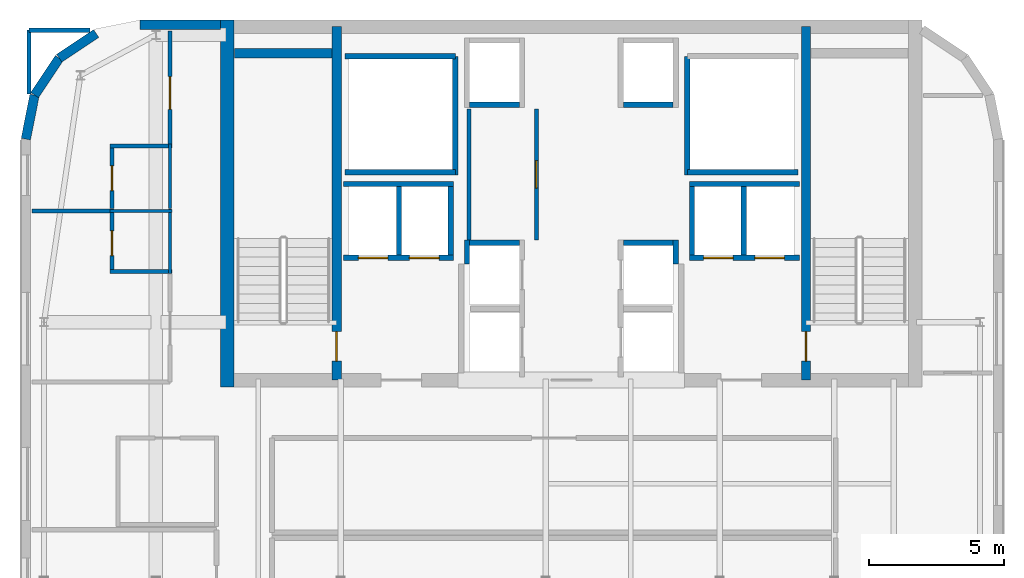
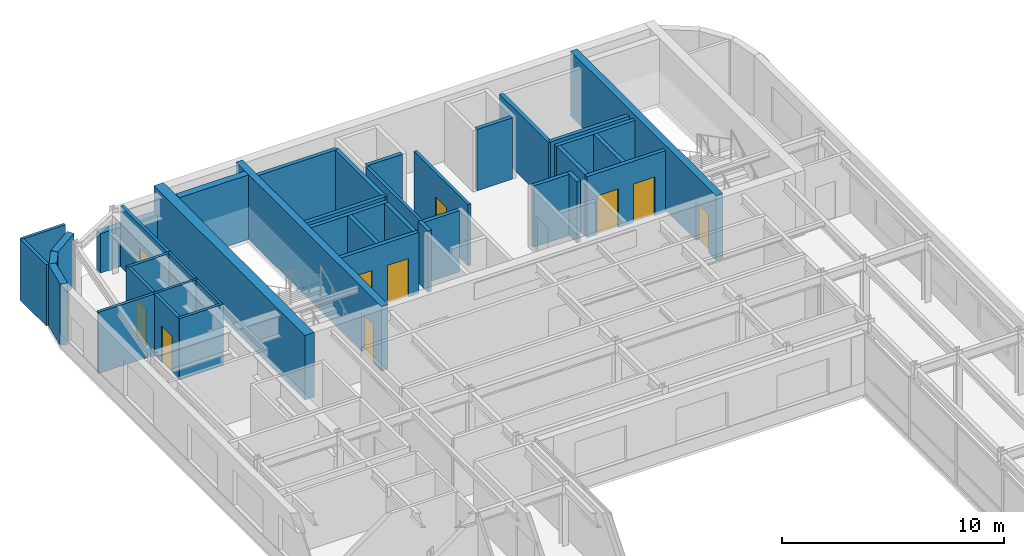
# One storey, part 16 of 21: 40 walls, 10 doors, 10 openings.
"""IFC4 building model written with IfcOpenShell, lengths in metres."""

from ifc_helpers import new_model, si_unit, direction, frame, frame_2d, origin, place, context, subcontext, project, spatial, rectangle, extrude, source, transform, mapped, material, layer, layer_set, type_object, type_shapes, element, fill, save


model = new_model("IFC4")

# Units and contexts
model_context = context("Model", 3, precision=1e-05, world=origin(), true_north=direction((0.0, 1.0)))
body_context = subcontext(model_context, "Body", "Model", "MODEL_VIEW")
ifc_project = project(units=[si_unit("LENGTHUNIT", "METRE"), si_unit("AREAUNIT", "SQUARE_METRE"), si_unit("VOLUMEUNIT", "CUBIC_METRE"), si_unit("PLANEANGLEUNIT", "RADIAN"), si_unit("MASSUNIT", "GRAM", prefix="KILO")], contexts=[model_context])

# Site, building, storey
site_placement = place(None, origin())
site = spatial("IfcSite", under=ifc_project, at=site_placement, CompositionType="ELEMENT")
building_placement = place(site_placement, origin())
building = spatial("IfcBuilding", under=site, at=building_placement, Name="Tolvann Quenvar Hotel", CompositionType="ELEMENT")
storey_placement = place(building_placement, frame((0.0, 0.0, 262.949951171875)))
storey = spatial("IfcBuildingStorey", under=building, at=storey_placement, Name="L70", CompositionType="ELEMENT", Elevation=262.949951171875)

# Wall
ifc_material_1 = material(Name="Concrete N50 (50 MPa)", Category="concrete")
ifc_layer_1 = layer(ifc_material_1, 0.5)
ifc_layer_set_1 = layer_set([ifc_layer_1], Name="Concrete N50 (50 MPa)")
wall_type_1 = type_object("IfcWallType", Name="WALL_CORE_500", PredefinedType="SHEAR", material=ifc_layer_set_1)
wall_1_placement = place(storey_placement, frame((10.25, 31.60009765625, 0.0), z_axis=(0.0, 0.0, 1.0), x_axis=(0.0, 1.0, 0.0)))
element("IfcWall", 1, at=wall_1_placement, inside=storey, type_object=wall_type_1, Name="Rear Core W Shear Wall (L70)", PredefinedType="SHEAR", context=body_context, shape_type="SweptSolid", body=[
    extrude(rectangle(XDim=13.599853515625, YDim=0.5, at=frame_2d((6.7998046875, 0.0))), origin(), (0.0, 0.0, 1.0), 3.550048828125),
])

# Wall, opening, door
ifc_material_2 = material(Name="Concrete S65 (65 MPa)", Category="concrete")
ifc_layer_2 = layer(ifc_material_2, 0.35009765625)
ifc_layer_set_2 = layer_set([ifc_layer_2], Name="Concrete S65 (65 MPa)")
wall_type_2 = type_object("IfcWallType", Name="WALL_CORE_INT_350", PredefinedType="SHEAR", material=ifc_layer_set_2)
wall_2_placement = place(storey_placement, frame((14.300048828125, 31.85009765625, 0.0), z_axis=(0.0, 0.0, 1.0), x_axis=(0.0, 1.0, 0.0)))
wall_2 = element("IfcWall", 2, at=wall_2_placement, inside=storey, type_object=wall_type_2, Name="Core Internal Web Shear Wall WEB-W (L70)", PredefinedType="SHEAR", context=body_context, shape_type="SweptSolid", body=[
    extrude(rectangle(XDim=13.099853515625, YDim=0.35009765625, at=frame_2d((6.5498046875, 0.0))), origin(), (0.0, 0.0, 1.0), 3.550048828125),
])
opening_1_placement = place(wall_2_placement, frame((0.699951171875, 0.0, 0.0)))
opening_1 = element("IfcOpeningElement", 3, at=opening_1_placement, cuts=wall_2, Name="Opening FD-120", PredefinedType="OPENING", context=body_context, shape_type="SweptSolid", body=[
    extrude(rectangle(XDim=1.10009765625, YDim=2.1201171875, at=frame_2d((0.550048828125, 1.06005859375))), frame((0.0, 0.18505859375, 0.0), z_axis=(0.0, -1.0, 0.0), x_axis=(1.0, 0.0, 0.0)), (0.0, 0.0, 1.0), 0.3701171875),
])
ifc_material_3 = material(Name="Pressed galvanised steel fire-rated door set", Category="steel")
door_type_1 = type_object("IfcDoorType", Name="DOOR_FIRE_STAIR_1100", OperationType="NOTDEFINED", PredefinedType="DOOR", material=ifc_material_3)
shared_shape_1 = source(origin(), body_context, "Body", "SweptSolid", [
    extrude(rectangle(XDim=1.10009765625, YDim=2.1201171875, at=frame_2d((0.550048828125, 1.06005859375))), frame((0.0, 0.02490234375, 0.0), z_axis=(0.0, -1.0, 0.0), x_axis=(1.0, 0.0, 0.0)), (0.0, 0.0, 1.0), 0.050048828125),
])
type_shapes(door_type_1, [shared_shape_1])
door_1_placement = place(opening_1_placement, origin())
door_1 = element("IfcDoor", 4, at=door_1_placement, inside=storey, type_object=door_type_1, Name="Exit Stair ST-C1 Fire Door (L70)", OperationType="SINGLE_SWING_LEFT", OverallHeight=2.1201171875, OverallWidth=1.10009765625, PredefinedType="DOOR", context=body_context, shape_type="MappedRepresentation", body=[
    mapped(shared_shape_1, transform((0.0, 0.0, 0.0), x_axis=(1.0, 0.0, 0.0), y_axis=(0.0, 1.0, 0.0), z_axis=(0.0, 0.0, 1.0), scale=1.0)),
])
fill(opening_1, door_1)

wall_3_placement = place(storey_placement, frame((31.699951171875, 31.85009765625, 0.0), z_axis=(0.0, 0.0, 1.0), x_axis=(0.0, 1.0, 0.0)))
wall_3 = element("IfcWall", 5, at=wall_3_placement, inside=storey, type_object=wall_type_2, Name="Core Internal Web Shear Wall WEB-E (L70)", PredefinedType="SHEAR", context=body_context, shape_type="SweptSolid", body=[
    extrude(rectangle(XDim=13.099853515625, YDim=0.35009765625, at=frame_2d((6.5498046875, 0.0))), origin(), (0.0, 0.0, 1.0), 3.550048828125),
])
opening_2_placement = place(wall_3_placement, frame((1.800048828125, 0.0, 0.0), z_axis=(0.0, 0.0, 1.0), x_axis=(-1.0, 0.0, 0.0)))
opening_2 = element("IfcOpeningElement", 6, at=opening_2_placement, cuts=wall_3, Name="Opening FD-120", PredefinedType="OPENING", context=body_context, shape_type="SweptSolid", body=[
    extrude(rectangle(XDim=1.10009765625, YDim=2.1201171875, at=frame_2d((0.550048828125, 1.06005859375))), frame((0.0, 0.18505859375, 0.0), z_axis=(0.0, -1.0, 0.0), x_axis=(1.0, 0.0, 0.0)), (0.0, 0.0, 1.0), 0.3701171875),
])
door_2_placement = place(opening_2_placement, origin())
door_2 = element("IfcDoor", 7, at=door_2_placement, inside=storey, type_object=door_type_1, Name="Exit Stair ST-C2 Fire Door (L70)", OperationType="SINGLE_SWING_RIGHT", OverallHeight=2.1201171875, OverallWidth=1.10009765625, PredefinedType="DOOR", context=body_context, shape_type="MappedRepresentation", body=[
    mapped(shared_shape_1, transform((0.0, 0.0, 0.0), x_axis=(1.0, 0.0, 0.0), y_axis=(0.0, 1.0, 0.0), z_axis=(0.0, 0.0, 1.0), scale=1.0)),
])
fill(opening_2, door_2)

# Walls
wall_4_placement = place(storey_placement, frame((10.52001953125, 43.97509765625, 0.0), z_axis=(0.0, 0.0, 1.0), x_axis=(1.0, 0.0, 0.0)))
element("IfcWall", 8, at=wall_4_placement, inside=storey, type_object=wall_type_2, Name="Core Stair North Closing Shear Wall STC1-N (L70)", PredefinedType="SHEAR", context=body_context, shape_type="SweptSolid", body=[
    extrude(rectangle(XDim=3.60009765625, YDim=0.35009765625, at=frame_2d((1.800048828125, 0.0))), origin(), (0.0, 0.0, 1.0), 3.550048828125),
])
ifc_material_4 = material(Name="Kiln-fired red and buff architectural clay brickwork and terracotta masonry", Category="masonry")
ifc_layer_3 = layer(ifc_material_4, 0.35009765625)
ifc_layer_set_3 = layer_set([ifc_layer_3], Name="Kiln-fired red and buff architectural clay brickwork and terracotta masonry")
wall_type_3 = type_object("IfcWallType", Name="WALL_EXT_BRICK_350", PredefinedType="SOLIDWALL", material=ifc_layer_set_3)
wall_5_placement = place(storey_placement, frame((9.99609375, 45.02490234375, 0.0), z_axis=(0.0, 0.0, 1.0), x_axis=(-1.0, 0.0, 0.0)))
element("IfcWall", 9, at=wall_5_placement, inside=storey, type_object=wall_type_3, Name="Exterior Chicago Brick Wall L70-E18NW", PredefinedType="SOLIDWALL", context=body_context, shape_type="SweptSolid", body=[
    extrude(rectangle(XDim=2.97900390625, YDim=0.35009765625, at=frame_2d((1.489501953125, 0.0))), origin(), (0.0, 0.0, 1.0), 2.16015625),
])
for number, where, z_axis, x_axis, name in (
    (10, (5.384521484375, 44.7001953125, 0.0), (0.0, 0.0, 1.0), (-0.831502623162, -0.555520825599, 0.0), "Exterior Chicago Brick Wall L70-E20"),
    (11, (4.014892578125, 43.78515625, 0.0), (0.0, 0.0, 1.0), (-0.555623290322, -0.831434158098, 0.0), "Exterior Chicago Brick Wall L70-E21"),
):
    element("IfcWall", number, at=place(storey_placement, frame(where, z_axis=z_axis, x_axis=x_axis)), inside=storey, type_object=wall_type_3, Name=name, PredefinedType="SOLIDWALL", context=body_context, shape_type="SweptSolid", body=[
        extrude(rectangle(XDim=1.647216796875, YDim=0.35009765625, at=frame_2d((0.82373046875, 0.0))), origin(), (0.0, 0.0, 1.0), 2.900146484375),
    ])
wall_6_placement = place(storey_placement, frame((3.099609375, 42.41552734375, 0.0), z_axis=(0.0, 0.0, 1.0), x_axis=(-0.195044345786, -0.980794424524, 0.0)))
element("IfcWall", 12, at=wall_6_placement, inside=storey, type_object=wall_type_3, Name="Exterior Chicago Brick Wall L70-E22", PredefinedType="SOLIDWALL", context=body_context, shape_type="SweptSolid", body=[
    extrude(rectangle(XDim=1.664794921875, YDim=0.35009765625, at=frame_2d((0.83251953125, 0.0))), origin(), (0.0, 0.0, 1.0), 3.3701171875),
])
ifc_material_5 = material(Name="Moisture-resistant acoustic plumbing wall assembly")
ifc_layer_4 = layer(ifc_material_5, 0.1201171875)
ifc_layer_set_4 = layer_set([ifc_layer_4], Name="Moisture-resistant acoustic plumbing wall assembly")
wall_type_4 = type_object("IfcWallType", Name="WALL_PART_BATH_120", PredefinedType="PLUMBINGWALL", material=ifc_layer_set_4)
wall_7_placement = place(storey_placement, frame((5.89990234375, 38.1201171875, 0.0), z_axis=(0.0, 0.0, 1.0), x_axis=(1.0, 0.0, 0.0)))
element("IfcWall", 13, at=wall_7_placement, inside=storey, type_object=wall_type_4, Name="Non-Rated Plumbing Partition PT-SPC-L70-ENS-PNW01-N", PredefinedType="PLUMBINGWALL", context=body_context, shape_type="SweptSolid", body=[
    extrude(rectangle(XDim=2.2900390625, YDim=0.1201171875, at=frame_2d((1.14501953125, 0.0))), origin(), (0.0, 0.0, 1.0), 3.3701171875),
])
wall_8_placement = place(storey_placement, frame((8.1201171875, 35.800048828125, 0.0), z_axis=(0.0, 0.0, 1.0), x_axis=(0.0, 1.0, 0.0)))
element("IfcWall", 14, at=wall_8_placement, inside=storey, type_object=wall_type_4, Name="Non-Rated Plumbing Partition PT-SPC-L70-ENS-PNW01-E", PredefinedType="PLUMBINGWALL", context=body_context, shape_type="SweptSolid", body=[
    extrude(rectangle(XDim=2.389892578125, YDim=0.1201171875, at=frame_2d((1.19482421875, 0.0))), origin(), (0.0, 0.0, 1.0), 3.3701171875),
])
wall_9_placement = place(storey_placement, frame((8.1201171875, 38.2099609375, 0.0), z_axis=(0.0, 0.0, 1.0), x_axis=(0.0, 1.0, 0.0)))
element("IfcWall", 15, at=wall_9_placement, inside=storey, type_object=wall_type_4, Name="Non-Rated Plumbing Partition PT-SPC-L70-ENS-PNW02-E", PredefinedType="PLUMBINGWALL", context=body_context, shape_type="SweptSolid", body=[
    extrude(rectangle(XDim=2.39013671875, YDim=0.1201171875, at=frame_2d((1.195068359375, 0.0))), origin(), (0.0, 0.0, 1.0), 3.3701171875),
])

# Wall, opening, door
ifc_material_6 = material(Name="Acoustic twin-stud fire-rated gypsum plasterboard partition")
ifc_layer_5 = layer(ifc_material_6, 0.14990234375)
ifc_layer_set_5 = layer_set([ifc_layer_5], Name="Acoustic twin-stud fire-rated gypsum plasterboard partition")
wall_type_5 = type_object("IfcWallType", Name="WALL_PART_SUITE_150", PredefinedType="PARTITIONING", material=ifc_layer_set_5)
wall_10_placement = place(storey_placement, frame((5.969970703125, 35.800048828125, 0.0), z_axis=(0.0, 0.0, 1.0), x_axis=(0.0, 1.0, 0.0)))
wall_10 = element("IfcWall", 16, at=wall_10_placement, inside=storey, type_object=wall_type_5, Name="Interior Partition PT-SPC-L70-ENS-PNW01-ENT", PredefinedType="PARTITIONING", context=body_context, shape_type="SweptSolid", body=[
    extrude(rectangle(XDim=2.389892578125, YDim=0.14990234375, at=frame_2d((1.19482421875, 0.0))), origin(), (0.0, 0.0, 1.0), 3.3701171875),
])
opening_3_placement = place(wall_10_placement, frame((0.6650390625, 0.0, 0.0)))
opening_3 = element("IfcOpeningElement", 17, at=opening_3_placement, cuts=wall_10, Name="Opening WD-01", PredefinedType="OPENING", context=body_context, shape_type="SweptSolid", body=[
    extrude(rectangle(XDim=0.919921875, YDim=2.010009765625, at=frame_2d((0.4599609375, 1.0048828125))), frame((0.0, 0.0849609375, 0.0), z_axis=(0.0, -1.0, 0.0), x_axis=(1.0, 0.0, 0.0)), (0.0, 0.0, 1.0), 0.169921875),
])
ifc_material_7 = material(Name="Solid-core American oak acoustic fire door leaf in steel frame", Category="steel")
door_type_2 = type_object("IfcDoorType", Name="DOOR_WC_920", OperationType="NOTDEFINED", PredefinedType="DOOR", material=ifc_material_7)
shared_shape_2 = source(origin(), body_context, "Body", "SweptSolid", [
    extrude(rectangle(XDim=0.919921875, YDim=2.010009765625, at=frame_2d((0.4599609375, 1.0048828125))), frame((0.0, 0.02490234375, 0.0), z_axis=(0.0, -1.0, 0.0), x_axis=(1.0, 0.0, 0.0)), (0.0, 0.0, 1.0), 0.050048828125),
])
type_shapes(door_type_2, [shared_shape_2])
door_3_placement = place(opening_3_placement, origin())
door_3 = element("IfcDoor", 18, at=door_3_placement, inside=storey, type_object=door_type_2, Name="Interior Door DOOR-SPC-L70-ENS-PNW01", OperationType="SINGLE_SWING_LEFT", OverallHeight=2.010009765625, OverallWidth=0.919921875, PredefinedType="DOOR", context=body_context, shape_type="MappedRepresentation", body=[
    mapped(shared_shape_2, transform((0.0, 0.0, 0.0), x_axis=(1.0, 0.0, 0.0), y_axis=(0.0, 1.0, 0.0), z_axis=(0.0, 0.0, 1.0), scale=1.0)),
])
fill(opening_3, door_3)

# Wall
wall_11_placement = place(storey_placement, frame((5.89990234375, 35.8701171875, 0.0), z_axis=(0.0, 0.0, 1.0), x_axis=(1.0, 0.0, 0.0)))
element("IfcWall", 19, at=wall_11_placement, inside=storey, type_object=wall_type_5, Name="Interior Partition PT-SPC-L70-ENS-PNW01-S", PredefinedType="PARTITIONING", context=body_context, shape_type="SweptSolid", body=[
    extrude(rectangle(XDim=2.2900390625, YDim=0.14990234375, at=frame_2d((1.14501953125, 0.0))), origin(), (0.0, 0.0, 1.0), 3.3701171875),
])

# Wall, opening, door
wall_12_placement = place(storey_placement, frame((5.969970703125, 38.2099609375, 0.0), z_axis=(0.0, 0.0, 1.0), x_axis=(0.0, 1.0, 0.0)))
wall_12 = element("IfcWall", 20, at=wall_12_placement, inside=storey, type_object=wall_type_5, Name="Interior Partition PT-SPC-L70-ENS-PNW02-ENT", PredefinedType="PARTITIONING", context=body_context, shape_type="SweptSolid", body=[
    extrude(rectangle(XDim=2.39013671875, YDim=0.14990234375, at=frame_2d((1.195068359375, 0.0))), origin(), (0.0, 0.0, 1.0), 3.3701171875),
])
opening_4_placement = place(wall_12_placement, frame((0.6650390625, 0.0, 0.0)))
opening_4 = element("IfcOpeningElement", 21, at=opening_4_placement, cuts=wall_12, Name="Opening WD-01", PredefinedType="OPENING", context=body_context, shape_type="SweptSolid", body=[
    extrude(rectangle(XDim=0.919921875, YDim=2.010009765625, at=frame_2d((0.4599609375, 1.0048828125))), frame((0.0, 0.0849609375, 0.0), z_axis=(0.0, -1.0, 0.0), x_axis=(1.0, 0.0, 0.0)), (0.0, 0.0, 1.0), 0.169921875),
])
door_4_placement = place(opening_4_placement, origin())
door_4 = element("IfcDoor", 22, at=door_4_placement, inside=storey, type_object=door_type_2, Name="Interior Door DOOR-SPC-L70-ENS-PNW02", OperationType="SINGLE_SWING_RIGHT", OverallHeight=2.010009765625, OverallWidth=0.919921875, PredefinedType="DOOR", context=body_context, shape_type="MappedRepresentation", body=[
    mapped(shared_shape_2, transform((0.0, 0.0, 0.0), x_axis=(1.0, 0.0, 0.0), y_axis=(0.0, 1.0, 0.0), z_axis=(0.0, 0.0, 1.0), scale=1.0)),
])
fill(opening_4, door_4)

# Wall
wall_13_placement = place(storey_placement, frame((5.89990234375, 40.530029296875, 0.0), z_axis=(0.0, 0.0, 1.0), x_axis=(1.0, 0.0, 0.0)))
element("IfcWall", 23, at=wall_13_placement, inside=storey, type_object=wall_type_5, Name="Interior Partition PT-SPC-L70-ENS-PNW02-N", PredefinedType="PARTITIONING", context=body_context, shape_type="SweptSolid", body=[
    extrude(rectangle(XDim=2.2900390625, YDim=0.14990234375, at=frame_2d((1.14501953125, 0.0))), origin(), (0.0, 0.0, 1.0), 3.3701171875),
])

# Wall, opening, door
wall_14_placement = place(storey_placement, frame((21.699951171875, 37.050048828125, 0.0), z_axis=(0.0, 0.0, 1.0), x_axis=(0.0, 1.0, 0.0)))
wall_14 = element("IfcWall", 24, at=wall_14_placement, inside=storey, type_object=wall_type_5, Name="Interior Partition PT-SPC-L70-RECPM-1-ENT", PredefinedType="PARTITIONING", context=body_context, shape_type="SweptSolid", body=[
    extrude(rectangle(XDim=4.849853515625, YDim=0.14990234375, at=frame_2d((2.4248046875, 0.0))), origin(), (0.0, 0.0, 1.0), 3.3701171875),
])
opening_5_placement = place(wall_14_placement, frame((1.9150390625, 0.0, 0.0)))
opening_5 = element("IfcOpeningElement", 25, at=opening_5_placement, cuts=wall_14, Name="Opening HD-01", PredefinedType="OPENING", context=body_context, shape_type="SweptSolid", body=[
    extrude(rectangle(XDim=1.02001953125, YDim=2.030029296875, at=frame_2d((0.510009765625, 1.01513671875))), frame((0.0, 0.0849609375, 0.0), z_axis=(0.0, -1.0, 0.0), x_axis=(1.0, 0.0, 0.0)), (0.0, 0.0, 1.0), 0.169921875),
])
door_type_3 = type_object("IfcDoorType", Name="DOOR_BOH_1020", OperationType="NOTDEFINED", PredefinedType="DOOR", material=ifc_material_3)
shared_shape_3 = source(origin(), body_context, "Body", "SweptSolid", [
    extrude(rectangle(XDim=1.02001953125, YDim=2.030029296875, at=frame_2d((0.510009765625, 1.01513671875))), frame((0.0, 0.02490234375, 0.0), z_axis=(0.0, -1.0, 0.0), x_axis=(1.0, 0.0, 0.0)), (0.0, 0.0, 1.0), 0.050048828125),
])
type_shapes(door_type_3, [shared_shape_3])
door_5_placement = place(opening_5_placement, origin())
door_5 = element("IfcDoor", 26, at=door_5_placement, inside=storey, type_object=door_type_3, Name="Interior Door DOOR-SPC-L70-RECPM-1", OperationType="SINGLE_SWING_LEFT", OverallHeight=2.030029296875, OverallWidth=1.02001953125, PredefinedType="DOOR", context=body_context, shape_type="MappedRepresentation", body=[
    mapped(shared_shape_3, transform((0.0, 0.0, 0.0), x_axis=(1.0, 0.0, 0.0), y_axis=(0.0, 1.0, 0.0), z_axis=(0.0, 0.0, 1.0), scale=1.0)),
])
fill(opening_5, door_5)

# Walls
wall_15_placement = place(storey_placement, frame((19.199951171875, 37.0400390625, 0.0), z_axis=(0.0, 0.0, 1.0), x_axis=(0.0, 1.0, 0.0)))
element("IfcWall", 27, at=wall_15_placement, inside=storey, type_object=wall_type_5, Name="Interior Partition PT-SPC-L70-RECPM-1-W", PredefinedType="PARTITIONING", context=body_context, shape_type="SweptSolid", body=[
    extrude(rectangle(XDim=4.85986328125, YDim=0.14990234375, at=frame_2d((2.429931640625, 0.0))), origin(), (0.0, 0.0, 1.0), 3.3701171875),
])
wall_16_placement = place(storey_placement, frame((3.0048828125, 38.1201171875, 0.0), z_axis=(0.0, 0.0, 1.0), x_axis=(1.0, 0.0, 0.0)))
element("IfcWall", 28, at=wall_16_placement, inside=storey, type_object=wall_type_5, Name="Interior Partition PT-SPC-L70-RM-PNW01-E5", PredefinedType="PARTITIONING", context=body_context, shape_type="SweptSolid", body=[
    extrude(rectangle(XDim=2.945068359375, YDim=0.14990234375, at=frame_2d((1.47265625, 0.0))), origin(), (0.0, 0.0, 1.0), 3.3701171875),
])

# Wall, opening, door
wall_17_placement = place(storey_placement, frame((8.1201171875, 40.610107421875, 0.0), z_axis=(0.0, 0.0, 1.0), x_axis=(0.0, 1.0, 0.0)))
wall_17 = element("IfcWall", 29, at=wall_17_placement, inside=storey, type_object=wall_type_5, Name="Interior Partition PT-SPC-L70-RM-PNW02-ENT", PredefinedType="PARTITIONING", context=body_context, shape_type="SweptSolid", body=[
    extrude(rectangle(XDim=4.184814453125, YDim=0.14990234375, at=frame_2d((2.09228515625, 0.0))), origin(), (0.0, 0.0, 1.0), 3.3701171875),
])
opening_6_placement = place(wall_17_placement, frame((1.27490234375, 0.0, 0.0)))
opening_6 = element("IfcOpeningElement", 30, at=opening_6_placement, cuts=wall_17, Name="Opening SD-02", PredefinedType="OPENING", context=body_context, shape_type="SweptSolid", body=[
    extrude(rectangle(XDim=1.219970703125, YDim=2.080078125, at=frame_2d((0.60986328125, 1.0400390625))), frame((0.0, 0.0849609375, 0.0), z_axis=(0.0, -1.0, 0.0), x_axis=(1.0, 0.0, 0.0)), (0.0, 0.0, 1.0), 0.169921875),
])
door_type_4 = type_object("IfcDoorType", Name="DOOR_VIP_1220", OperationType="NOTDEFINED", PredefinedType="DOOR", material=ifc_material_7)
shared_shape_4 = source(origin(), body_context, "Body", "SweptSolid", [
    extrude(rectangle(XDim=1.219970703125, YDim=2.080078125, at=frame_2d((0.60986328125, 1.0400390625))), frame((0.0, 0.02490234375, 0.0), z_axis=(0.0, -1.0, 0.0), x_axis=(1.0, 0.0, 0.0)), (0.0, 0.0, 1.0), 0.050048828125),
])
type_shapes(door_type_4, [shared_shape_4])
door_6_placement = place(opening_6_placement, origin())
door_6 = element("IfcDoor", 31, at=door_6_placement, inside=storey, type_object=door_type_4, Name="Interior Door DOOR-SPC-L70-RM-PNW02", OperationType="SINGLE_SWING_LEFT", OverallHeight=2.080078125, OverallWidth=1.219970703125, PredefinedType="DOOR", context=body_context, shape_type="MappedRepresentation", body=[
    mapped(shared_shape_4, transform((0.0, 0.0, 0.0), x_axis=(1.0, 0.0, 0.0), y_axis=(0.0, 1.0, 0.0), z_axis=(0.0, 0.0, 1.0), scale=1.0)),
])
fill(opening_6, door_6)

# Walls
wall_18_placement = place(storey_placement, frame((2.89990234375, 44.820068359375, 0.0), z_axis=(0.0, 0.0, 1.0), x_axis=(1.0, 0.0, 0.0)))
element("IfcWall", 32, at=wall_18_placement, inside=storey, type_object=wall_type_5, Name="Interior Partition PT-SPC-L70-RM-PNW02-E5", PredefinedType="PARTITIONING", context=body_context, shape_type="SweptSolid", body=[
    extrude(rectangle(XDim=2.25, YDim=0.14990234375, at=frame_2d((1.125, 0.0))), origin(), (0.0, 0.0, 1.0), 3.3701171875),
])
wall_19_placement = place(storey_placement, frame((2.89990234375, 42.455078125, 0.0), z_axis=(0.0, 0.0, 1.0), x_axis=(0.0, 1.0, 0.0)))
element("IfcWall", 33, at=wall_19_placement, inside=storey, type_object=wall_type_5, Name="Interior Partition PT-SPC-L70-RM-PNW02-E6", PredefinedType="PARTITIONING", context=body_context, shape_type="SweptSolid", body=[
    extrude(rectangle(XDim=2.364990234375, YDim=0.14990234375, at=frame_2d((1.1826171875, 0.0))), origin(), (0.0, 0.0, 1.0), 3.3701171875),
])
ifc_material_8 = material(Name="Concrete N40 (40 MPa)", Category="concrete")
ifc_layer_6 = layer(ifc_material_8, 0.199951171875)
ifc_layer_set_6 = layer_set([ifc_layer_6], Name="Concrete N40 (40 MPa)")
wall_type_6 = type_object("IfcWallType", Name="WALL_SHAFT_200", PredefinedType="SOLIDWALL", material=ifc_layer_set_6)
wall_20_placement = place(storey_placement, frame((18.699951171875, 39.449951171875, 0.0), z_axis=(0.0, 0.0, 1.0), x_axis=(0.0, 1.0, 0.0)))
element("IfcWall", 34, at=wall_20_placement, inside=storey, type_object=wall_type_6, Name="Service Riser W Shaft Wall IN (L70)", PredefinedType="SOLIDWALL", context=body_context, shape_type="SweptSolid", body=[
    extrude(rectangle(XDim=4.400146484375, YDim=0.199951171875, at=frame_2d((2.2001953125, 0.0))), origin(), (0.0, 0.0, 1.0), 3.3701171875),
])
for number, where, z_axis, x_axis, name in (
    (35, (14.60009765625, 39.550048828125, 0.0), (0.0, 0.0, 1.0), (1.0, 0.0, 0.0), "Service Riser W Shaft Wall S (L70)"),
    (36, (14.60009765625, 43.85009765625, 0.0), (0.0, 0.0, 1.0), (1.0, 0.0, 0.0), "Service Riser W Shaft Wall N (L70)"),
):
    element("IfcWall", number, at=place(storey_placement, frame(where, z_axis=z_axis, x_axis=x_axis)), inside=storey, type_object=wall_type_6, Name=name, PredefinedType="SOLIDWALL", context=body_context, shape_type="SweptSolid", body=[
        extrude(rectangle(XDim=4.099853515625, YDim=0.199951171875, at=frame_2d((2.0498046875, 0.0))), origin(), (0.0, 0.0, 1.0), 3.3701171875),
    ])
wall_21_placement = place(storey_placement, frame((27.300048828125, 39.449951171875, 0.0), z_axis=(0.0, 0.0, 1.0), x_axis=(0.0, 1.0, 0.0)))
element("IfcWall", 37, at=wall_21_placement, inside=storey, type_object=wall_type_6, Name="Service Riser E Shaft Wall IN (L70)", PredefinedType="SOLIDWALL", context=body_context, shape_type="SweptSolid", body=[
    extrude(rectangle(XDim=4.400146484375, YDim=0.199951171875, at=frame_2d((2.2001953125, 0.0))), origin(), (0.0, 0.0, 1.0), 3.3701171875),
])
wall_22_placement = place(storey_placement, frame((27.300048828125, 39.550048828125, 0.0), z_axis=(0.0, 0.0, 1.0), x_axis=(1.0, 0.0, 0.0)))
element("IfcWall", 38, at=wall_22_placement, inside=storey, type_object=wall_type_6, Name="Service Riser E Shaft Wall S (L70)", PredefinedType="SOLIDWALL", context=body_context, shape_type="SweptSolid", body=[
    extrude(rectangle(XDim=4.099853515625, YDim=0.199951171875, at=frame_2d((2.0498046875, 0.0))), origin(), (0.0, 0.0, 1.0), 3.3701171875),
])
wall_23_placement = place(storey_placement, frame((19.1298828125, 36.159912109375, 0.0), z_axis=(0.0, 0.0, 1.0), x_axis=(0.0, 1.0, 0.0)))
element("IfcWall", 39, at=wall_23_placement, inside=storey, type_object=wall_type_6, Name="Lift Bank E21.1C1 Hoistway Rear Wall (L70)", PredefinedType="SOLIDWALL", context=body_context, shape_type="SweptSolid", body=[
    extrude(rectangle(XDim=0.880126953125, YDim=0.199951171875, at=frame_2d((0.43994140625, 0.0))), origin(), (0.0, 0.0, 1.0), 3.3701171875),
])
for number, where, z_axis, x_axis, name in (
    (40, (19.22998046875, 36.93994140625, 0.0), (0.0, 0.0, 1.0), (1.0, 0.0, 0.0), "Lift Bank E21.1C1 Hoistway Cheek Wall 2 (L70)"),
    (41, (19.22998046875, 42.06005859375, 0.0), (0.0, 0.0, 1.0), (1.0, 0.0, 0.0), "Lift Bank E21.1C2 Hoistway Cheek Wall 1 (L70)"),
):
    element("IfcWall", number, at=place(storey_placement, frame(where, z_axis=z_axis, x_axis=x_axis)), inside=storey, type_object=wall_type_6, Name=name, PredefinedType="SOLIDWALL", context=body_context, shape_type="SweptSolid", body=[
        extrude(rectangle(XDim=1.840087890625, YDim=0.199951171875, at=frame_2d((0.919921875, 0.0))), origin(), (0.0, 0.0, 1.0), 3.3701171875),
    ])

# Wall, openings, doors
wall_24_placement = place(storey_placement, frame((27.375, 36.3798828125, 0.0), z_axis=(0.0, 0.0, 1.0), x_axis=(1.0, 0.0, 0.0)))
wall_24 = element("IfcWall", 42, at=wall_24_placement, inside=storey, type_object=wall_type_6, Name="Lift Bank SEC1 Hoistway Front Wall (L70)", PredefinedType="SOLIDWALL", context=body_context, shape_type="SweptSolid", body=[
    extrude(rectangle(XDim=4.074951171875, YDim=0.199951171875, at=frame_2d((2.03759765625, 0.0))), origin(), (0.0, 0.0, 1.0), 3.3701171875),
])
opening_7_placement = place(wall_24_placement, frame((0.52490234375, 0.0, 0.0)))
opening_7 = element("IfcOpeningElement", 43, at=opening_7_placement, cuts=wall_24, Name="Opening LD-01", PredefinedType="OPENING", context=body_context, shape_type="SweptSolid", body=[
    extrude(rectangle(XDim=1.10009765625, YDim=2.1201171875, at=frame_2d((0.550048828125, 1.06005859375))), frame((0.0, 0.10986328125, 0.0), z_axis=(0.0, -1.0, 0.0), x_axis=(1.0, 0.0, 0.0)), (0.0, 0.0, 1.0), 0.219970703125),
])
opening_8_placement = place(wall_24_placement, frame((2.425048828125, 0.0, 0.0)))
opening_8 = element("IfcOpeningElement", 44, at=opening_8_placement, cuts=wall_24, Name="Opening LD-01", PredefinedType="OPENING", context=body_context, shape_type="SweptSolid", body=[
    extrude(rectangle(XDim=1.10009765625, YDim=2.1201171875, at=frame_2d((0.550048828125, 1.06005859375))), frame((0.0, 0.10986328125, 0.0), z_axis=(0.0, -1.0, 0.0), x_axis=(1.0, 0.0, 0.0)), (0.0, 0.0, 1.0), 0.219970703125),
])
ifc_material_9 = material(Name="Brushed 316 stainless steel automatic sliding lift landing door", Category="steel")
door_type_5 = type_object("IfcDoorType", Name="DOOR_LIFT_SLIDE_1100", OperationType="NOTDEFINED", PredefinedType="DOOR", material=ifc_material_9)
shared_shape_5 = source(origin(), body_context, "Body", "SweptSolid", [
    extrude(rectangle(XDim=1.10009765625, YDim=2.1201171875, at=frame_2d((0.550048828125, 1.06005859375))), frame((0.0, 0.02490234375, 0.0), z_axis=(0.0, -1.0, 0.0), x_axis=(1.0, 0.0, 0.0)), (0.0, 0.0, 1.0), 0.050048828125),
])
type_shapes(door_type_5, [shared_shape_5])
door_7_placement = place(opening_7_placement, origin())
door_7 = element("IfcDoor", 45, at=door_7_placement, inside=storey, type_object=door_type_5, Name="Lift SV-2 Sliding Landing Door (L70)", OperationType="SLIDING_TO_LEFT", OverallHeight=2.1201171875, OverallWidth=1.10009765625, PredefinedType="DOOR", context=body_context, shape_type="MappedRepresentation", body=[
    mapped(shared_shape_5, transform((0.0, 0.0, 0.0), x_axis=(1.0, 0.0, 0.0), y_axis=(0.0, 1.0, 0.0), z_axis=(0.0, 0.0, 1.0), scale=1.0)),
])
fill(opening_7, door_7)
door_8_placement = place(opening_8_placement, origin())
door_8 = element("IfcDoor", 46, at=door_8_placement, inside=storey, type_object=door_type_5, Name="Lift FF-2 Sliding Landing Door (L70)", OperationType="SLIDING_TO_RIGHT", OverallHeight=2.1201171875, OverallWidth=1.10009765625, PredefinedType="DOOR", context=body_context, shape_type="MappedRepresentation", body=[
    mapped(shared_shape_5, transform((0.0, 0.0, 0.0), x_axis=(1.0, 0.0, 0.0), y_axis=(0.0, 1.0, 0.0), z_axis=(0.0, 0.0, 1.0), scale=1.0)),
])
fill(opening_8, door_8)

# Walls
wall_25_placement = place(storey_placement, frame((27.375, 39.1201171875, 0.0), z_axis=(0.0, 0.0, 1.0), x_axis=(1.0, 0.0, 0.0)))
element("IfcWall", 47, at=wall_25_placement, inside=storey, type_object=wall_type_6, Name="Lift Bank SEC1 Hoistway Rear Wall (L70)", PredefinedType="SOLIDWALL", context=body_context, shape_type="SweptSolid", body=[
    extrude(rectangle(XDim=4.074951171875, YDim=0.199951171875, at=frame_2d((2.03759765625, 0.0))), origin(), (0.0, 0.0, 1.0), 3.3701171875),
])
for number, where, z_axis, x_axis, name in (
    (48, (27.47509765625, 36.47998046875, 0.0), (0.0, 0.0, 1.0), (0.0, 1.0, 0.0), "Lift Bank SEC1 Hoistway Cheek Wall 1 (L70)"),
    (49, (29.387451171875, 36.47998046875, 0.0), (0.0, 0.0, 1.0), (0.0, 1.0, 0.0), "Lift Bank SEC1 Divider Wall 1 (L70)"),
):
    element("IfcWall", number, at=place(storey_placement, frame(where, z_axis=z_axis, x_axis=x_axis)), inside=storey, type_object=wall_type_6, Name=name, PredefinedType="SOLIDWALL", context=body_context, shape_type="SweptSolid", body=[
        extrude(rectangle(XDim=2.5400390625, YDim=0.199951171875, at=frame_2d((1.27001953125, 0.0))), origin(), (0.0, 0.0, 1.0), 3.3701171875),
    ])

# Wall, openings, doors
wall_26_placement = place(storey_placement, frame((14.550048828125, 36.3798828125, 0.0), z_axis=(0.0, 0.0, 1.0), x_axis=(1.0, 0.0, 0.0)))
wall_26 = element("IfcWall", 50, at=wall_26_placement, inside=storey, type_object=wall_type_6, Name="Lift Bank SWC1 Hoistway Front Wall (L70)", PredefinedType="SOLIDWALL", context=body_context, shape_type="SweptSolid", body=[
    extrude(rectangle(XDim=4.074951171875, YDim=0.199951171875, at=frame_2d((2.03759765625, 0.0))), origin(), (0.0, 0.0, 1.0), 3.3701171875),
])
opening_9_placement = place(wall_26_placement, frame((0.550048828125, 0.0, 0.0)))
opening_9 = element("IfcOpeningElement", 51, at=opening_9_placement, cuts=wall_26, Name="Opening LD-01", PredefinedType="OPENING", context=body_context, shape_type="SweptSolid", body=[
    extrude(rectangle(XDim=1.10009765625, YDim=2.1201171875, at=frame_2d((0.550048828125, 1.06005859375))), frame((0.0, 0.10986328125, 0.0), z_axis=(0.0, -1.0, 0.0), x_axis=(1.0, 0.0, 0.0)), (0.0, 0.0, 1.0), 0.219970703125),
])
opening_10_placement = place(wall_26_placement, frame((2.449951171875, 0.0, 0.0)))
opening_10 = element("IfcOpeningElement", 52, at=opening_10_placement, cuts=wall_26, Name="Opening LD-01", PredefinedType="OPENING", context=body_context, shape_type="SweptSolid", body=[
    extrude(rectangle(XDim=1.10009765625, YDim=2.1201171875, at=frame_2d((0.550048828125, 1.06005859375))), frame((0.0, 0.10986328125, 0.0), z_axis=(0.0, -1.0, 0.0), x_axis=(1.0, 0.0, 0.0)), (0.0, 0.0, 1.0), 0.219970703125),
])
door_9_placement = place(opening_9_placement, origin())
door_9 = element("IfcDoor", 53, at=door_9_placement, inside=storey, type_object=door_type_5, Name="Lift FF-1 Sliding Landing Door (L70)", OperationType="SLIDING_TO_LEFT", OverallHeight=2.1201171875, OverallWidth=1.10009765625, PredefinedType="DOOR", context=body_context, shape_type="MappedRepresentation", body=[
    mapped(shared_shape_5, transform((0.0, 0.0, 0.0), x_axis=(1.0, 0.0, 0.0), y_axis=(0.0, 1.0, 0.0), z_axis=(0.0, 0.0, 1.0), scale=1.0)),
])
fill(opening_9, door_9)
door_10_placement = place(opening_10_placement, origin())
door_10 = element("IfcDoor", 54, at=door_10_placement, inside=storey, type_object=door_type_5, Name="Lift SV-1 Sliding Landing Door (L70)", OperationType="SLIDING_TO_RIGHT", OverallHeight=2.1201171875, OverallWidth=1.10009765625, PredefinedType="DOOR", context=body_context, shape_type="MappedRepresentation", body=[
    mapped(shared_shape_5, transform((0.0, 0.0, 0.0), x_axis=(1.0, 0.0, 0.0), y_axis=(0.0, 1.0, 0.0), z_axis=(0.0, 0.0, 1.0), scale=1.0)),
])
fill(opening_10, door_10)

# Walls
wall_27_placement = place(storey_placement, frame((14.550048828125, 39.1201171875, 0.0), z_axis=(0.0, 0.0, 1.0), x_axis=(1.0, 0.0, 0.0)))
element("IfcWall", 55, at=wall_27_placement, inside=storey, type_object=wall_type_6, Name="Lift Bank SWC1 Hoistway Rear Wall (L70)", PredefinedType="SOLIDWALL", context=body_context, shape_type="SweptSolid", body=[
    extrude(rectangle(XDim=4.074951171875, YDim=0.199951171875, at=frame_2d((2.03759765625, 0.0))), origin(), (0.0, 0.0, 1.0), 3.3701171875),
])
for number, where, z_axis, x_axis, name in (
    (56, (18.52490234375, 36.47998046875, 0.0), (0.0, 0.0, 1.0), (0.0, 1.0, 0.0), "Lift Bank SWC1 Hoistway Cheek Wall 2 (L70)"),
    (57, (16.612548828125, 36.47998046875, 0.0), (0.0, 0.0, 1.0), (0.0, 1.0, 0.0), "Lift Bank SWC1 Divider Wall 1 (L70)"),
):
    element("IfcWall", number, at=place(storey_placement, frame(where, z_axis=z_axis, x_axis=x_axis)), inside=storey, type_object=wall_type_6, Name=name, PredefinedType="SOLIDWALL", context=body_context, shape_type="SweptSolid", body=[
        extrude(rectangle(XDim=2.5400390625, YDim=0.199951171875, at=frame_2d((1.27001953125, 0.0))), origin(), (0.0, 0.0, 1.0), 3.3701171875),
    ])
wall_28_placement = place(storey_placement, frame((26.8701171875, 36.159912109375, 0.0), z_axis=(0.0, 0.0, 1.0), x_axis=(0.0, 1.0, 0.0)))
element("IfcWall", 58, at=wall_28_placement, inside=storey, type_object=wall_type_6, Name="Lift Bank W24.9C1 Hoistway Rear Wall (L70)", PredefinedType="SOLIDWALL", context=body_context, shape_type="SweptSolid", body=[
    extrude(rectangle(XDim=0.880126953125, YDim=0.199951171875, at=frame_2d((0.43994140625, 0.0))), origin(), (0.0, 0.0, 1.0), 3.3701171875),
])
for number, where, z_axis, x_axis, name in (
    (59, (24.929931640625, 36.93994140625, 0.0), (0.0, 0.0, 1.0), (1.0, 0.0, 0.0), "Lift Bank W24.9C1 Hoistway Cheek Wall 2 (L70)"),
    (60, (24.929931640625, 42.06005859375, 0.0), (0.0, 0.0, 1.0), (1.0, 0.0, 0.0), "Lift Bank W24.9C2 Hoistway Cheek Wall 1 (L70)"),
):
    element("IfcWall", number, at=place(storey_placement, frame(where, z_axis=z_axis, x_axis=x_axis)), inside=storey, type_object=wall_type_6, Name=name, PredefinedType="SOLIDWALL", context=body_context, shape_type="SweptSolid", body=[
        extrude(rectangle(XDim=1.840087890625, YDim=0.199951171875, at=frame_2d((0.919921875, 0.0))), origin(), (0.0, 0.0, 1.0), 3.3701171875),
    ])

save(model, "model.ifc")
